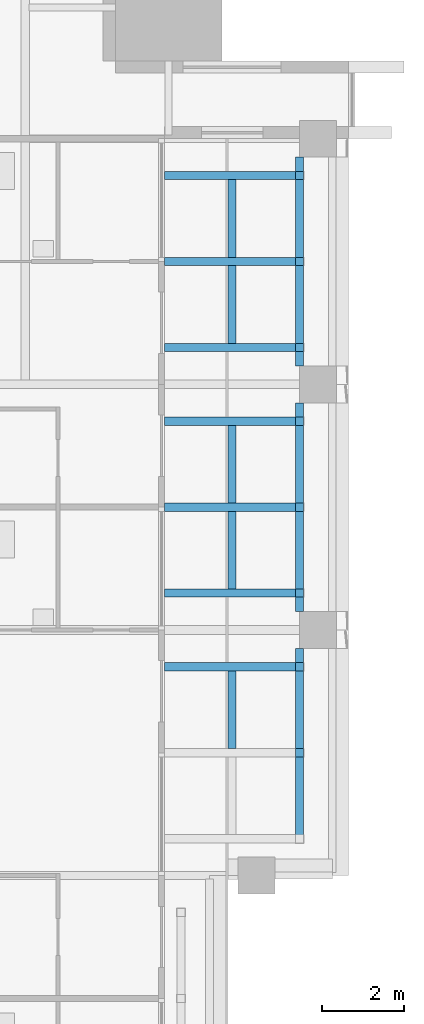
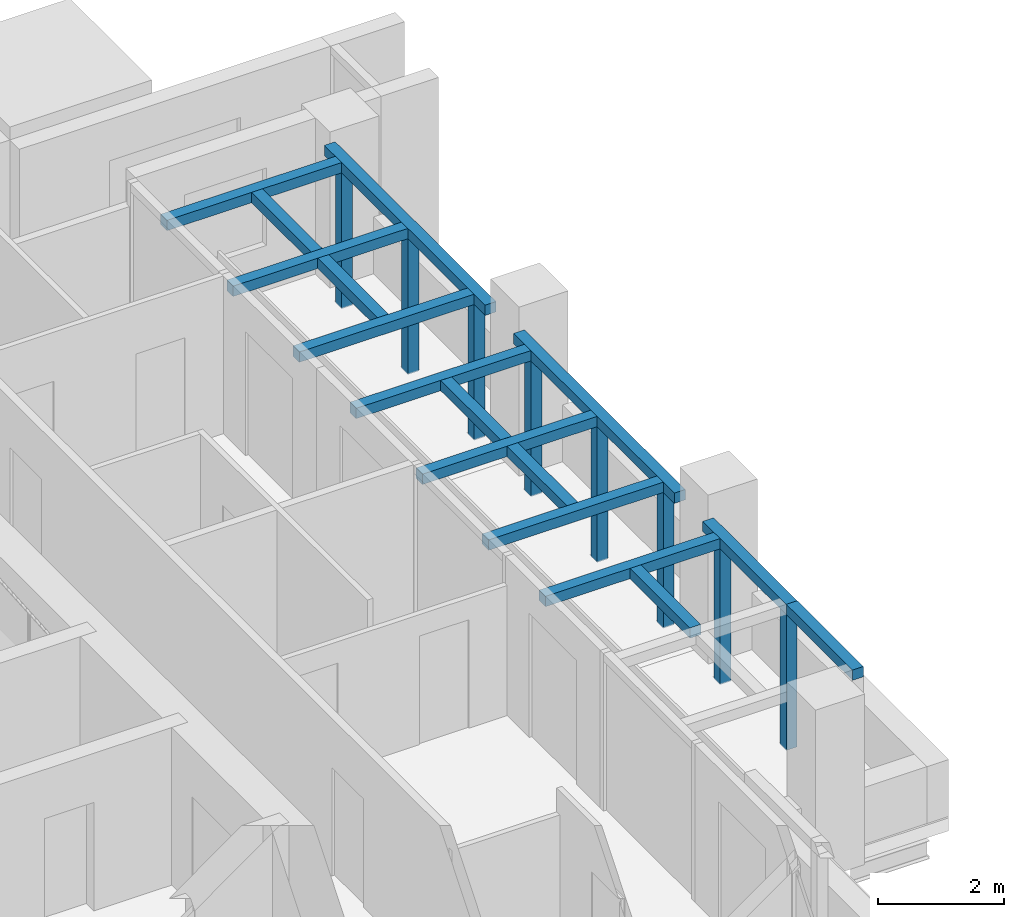
# One storey, part 14 of 17: 24 discrete accessories.
"""IFC4 building model written with IfcOpenShell, lengths in metres."""

from ifc_helpers import new_model, si_unit, direction, frame, origin, origin_2d, place, context, subcontext, project, spatial, rectangle, extrude, element, save


model = new_model("IFC4")

# Units and contexts
model_context = context("Model", 3, precision=1e-05, world=origin(), true_north=direction((0.0, 1.0)))
body_context = subcontext(model_context, "Body", "Model", "MODEL_VIEW")
ifc_project = project(units=[si_unit("LENGTHUNIT", "METRE"), si_unit("AREAUNIT", "SQUARE_METRE"), si_unit("VOLUMEUNIT", "CUBIC_METRE"), si_unit("PLANEANGLEUNIT", "RADIAN"), si_unit("MASSUNIT", "GRAM", prefix="KILO")], contexts=[model_context])

# Site, building, storey
site_placement = place(None, origin())
site = spatial("IfcSite", under=ifc_project, at=site_placement, CompositionType="ELEMENT")
building_placement = place(site_placement, origin())
building = spatial("IfcBuilding", under=site, at=building_placement, Name="Amberfall Residences", CompositionType="ELEMENT")
storey_placement = place(building_placement, frame((0.0, 0.0, 216.699951171875)))
storey = spatial("IfcBuildingStorey", under=building, at=storey_placement, Name="L58", CompositionType="ELEMENT", Elevation=216.699951171875)

# Discrete accessories
for number, where, z_axis, x_axis, name in (
    (1, (96.300048828125, 45.39990234375, 0.0), (0.0, 0.0, 1.0), (1.0, 0.0, 0.0), "Trellis post L58 E3.2"),
    (2, (96.300048828125, 47.5, 0.0), (0.0, 0.0, 1.0), (1.0, 0.0, 0.0), "Trellis post L58 E3.3"),
):
    element("IfcDiscreteAccessory", number, at=place(storey_placement, frame(where, z_axis=z_axis, x_axis=x_axis)), inside=storey, Name=name, ObjectType="TRELLIS POST", PredefinedType="USERDEFINED", context=body_context, shape_type="SweptSolid", body=[
        extrude(rectangle(XDim=0.199951171875, YDim=0.199951171875, at=origin_2d()), origin(), (0.0, 0.0, 1.0), 2.6298828125),
    ])
discrete_accessory_1_placement = place(storey_placement, frame((96.300048828125, 46.625, 2.6298828125), z_axis=(0.0, 0.0, 1.0), x_axis=(0.0, 1.0, 0.0)))
element("IfcDiscreteAccessory", 3, at=discrete_accessory_1_placement, inside=storey, Name="Trellis beam L58 E3.e1", ObjectType="TRELLIS BEAM", PredefinedType="USERDEFINED", context=body_context, shape_type="SweptSolid", body=[
    extrude(rectangle(XDim=2.64990234375, YDim=0.199951171875, at=origin_2d()), origin(), (0.0, 0.0, 1.0), 0.199951171875),
])
discrete_accessory_2_placement = place(storey_placement, frame((96.300048828125, 44.25, 2.6298828125), z_axis=(0.0, 0.0, 1.0), x_axis=(0.0, 1.0, 0.0)))
element("IfcDiscreteAccessory", 4, at=discrete_accessory_2_placement, inside=storey, Name="Trellis beam L58 E3.e1.2", ObjectType="TRELLIS BEAM", PredefinedType="USERDEFINED", context=body_context, shape_type="SweptSolid", body=[
    extrude(rectangle(XDim=2.10009765625, YDim=0.199951171875, at=origin_2d()), origin(), (0.0, 0.0, 1.0), 0.199951171875),
])
discrete_accessory_3_placement = place(storey_placement, frame((94.64990234375, 46.449951171875, 2.6298828125), z_axis=(0.0, 0.0, 1.0), x_axis=(0.0, 1.0, 0.0)))
element("IfcDiscreteAccessory", 5, at=discrete_accessory_3_placement, inside=storey, Name="Trellis beam L58 E3.c1.2", ObjectType="TRELLIS BEAM", PredefinedType="USERDEFINED", context=body_context, shape_type="SweptSolid", body=[
    extrude(rectangle(XDim=1.89990234375, YDim=0.199951171875, at=origin_2d()), origin(), (0.0, 0.0, 1.0), 0.199951171875),
])
discrete_accessory_4_placement = place(storey_placement, frame((94.60009765625, 47.5, 2.6298828125), z_axis=(0.0, 0.0, 1.0), x_axis=(-1.0, 0.0, 0.0)))
element("IfcDiscreteAccessory", 6, at=discrete_accessory_4_placement, inside=storey, Name="Trellis beam L58 E3.b3", ObjectType="TRELLIS BEAM", PredefinedType="USERDEFINED", context=body_context, shape_type="SweptSolid", body=[
    extrude(rectangle(XDim=3.199951171875, YDim=0.199951171875, at=origin_2d()), origin(), (0.0, 0.0, 1.0), 0.199951171875),
])
for number, where, z_axis, x_axis, name in (
    (7, (96.300048828125, 49.300048828125, 0.0), (0.0, 0.0, 1.0), (1.0, 0.0, 0.0), "Trellis post L58 E4.1"),
    (8, (96.300048828125, 51.39990234375, 0.0), (0.0, 0.0, 1.0), (1.0, 0.0, 0.0), "Trellis post L58 E4.2"),
    (9, (96.300048828125, 53.5, 0.0), (0.0, 0.0, 1.0), (1.0, 0.0, 0.0), "Trellis post L58 E4.3"),
):
    element("IfcDiscreteAccessory", number, at=place(storey_placement, frame(where, z_axis=z_axis, x_axis=x_axis)), inside=storey, Name=name, ObjectType="TRELLIS POST", PredefinedType="USERDEFINED", context=body_context, shape_type="SweptSolid", body=[
        extrude(rectangle(XDim=0.199951171875, YDim=0.199951171875, at=origin_2d()), origin(), (0.0, 0.0, 1.0), 2.6298828125),
    ])
discrete_accessory_5_placement = place(storey_placement, frame((96.300048828125, 51.39990234375, 2.6298828125), z_axis=(0.0, 0.0, 1.0), x_axis=(0.0, 1.0, 0.0)))
element("IfcDiscreteAccessory", 10, at=discrete_accessory_5_placement, inside=storey, Name="Trellis beam L58 E4.e1", ObjectType="TRELLIS BEAM", PredefinedType="USERDEFINED", context=body_context, shape_type="SweptSolid", body=[
    extrude(rectangle(XDim=5.10009765625, YDim=0.199951171875, at=origin_2d()), origin(), (0.0, 0.0, 1.0), 0.199951171875),
])
for number, where, z_axis, x_axis, name in (
    (11, (94.64990234375, 50.35009765625, 2.6298828125), (0.0, 0.0, 1.0), (0.0, 1.0, 0.0), "Trellis beam L58 E4.c1.1"),
    (12, (94.64990234375, 52.449951171875, 2.6298828125), (0.0, 0.0, 1.0), (0.0, 1.0, 0.0), "Trellis beam L58 E4.c1.2"),
):
    element("IfcDiscreteAccessory", number, at=place(storey_placement, frame(where, z_axis=z_axis, x_axis=x_axis)), inside=storey, Name=name, ObjectType="TRELLIS BEAM", PredefinedType="USERDEFINED", context=body_context, shape_type="SweptSolid", body=[
        extrude(rectangle(XDim=1.89990234375, YDim=0.199951171875, at=origin_2d()), origin(), (0.0, 0.0, 1.0), 0.199951171875),
    ])
for number, where, z_axis, x_axis, name in (
    (13, (94.60009765625, 49.300048828125, 2.6298828125), (0.0, 0.0, 1.0), (-1.0, 0.0, 0.0), "Trellis beam L58 E4.b1"),
    (14, (94.60009765625, 51.39990234375, 2.6298828125), (0.0, 0.0, 1.0), (-1.0, 0.0, 0.0), "Trellis beam L58 E4.b2"),
    (15, (94.60009765625, 53.5, 2.6298828125), (0.0, 0.0, 1.0), (-1.0, 0.0, 0.0), "Trellis beam L58 E4.b3"),
):
    element("IfcDiscreteAccessory", number, at=place(storey_placement, frame(where, z_axis=z_axis, x_axis=x_axis)), inside=storey, Name=name, ObjectType="TRELLIS BEAM", PredefinedType="USERDEFINED", context=body_context, shape_type="SweptSolid", body=[
        extrude(rectangle(XDim=3.199951171875, YDim=0.199951171875, at=origin_2d()), origin(), (0.0, 0.0, 1.0), 0.199951171875),
    ])
for number, where, z_axis, x_axis, name in (
    (16, (96.300048828125, 55.300048828125, 0.0), (0.0, 0.0, 1.0), (1.0, 0.0, 0.0), "Trellis post L58 E5.1"),
    (17, (96.300048828125, 57.39990234375, 0.0), (0.0, 0.0, 1.0), (1.0, 0.0, 0.0), "Trellis post L58 E5.2"),
    (18, (96.300048828125, 59.5, 0.0), (0.0, 0.0, 1.0), (1.0, 0.0, 0.0), "Trellis post L58 E5.3"),
):
    element("IfcDiscreteAccessory", number, at=place(storey_placement, frame(where, z_axis=z_axis, x_axis=x_axis)), inside=storey, Name=name, ObjectType="TRELLIS POST", PredefinedType="USERDEFINED", context=body_context, shape_type="SweptSolid", body=[
        extrude(rectangle(XDim=0.199951171875, YDim=0.199951171875, at=origin_2d()), origin(), (0.0, 0.0, 1.0), 2.6298828125),
    ])
discrete_accessory_6_placement = place(storey_placement, frame((96.300048828125, 57.39990234375, 2.6298828125), z_axis=(0.0, 0.0, 1.0), x_axis=(0.0, 1.0, 0.0)))
element("IfcDiscreteAccessory", 19, at=discrete_accessory_6_placement, inside=storey, Name="Trellis beam L58 E5.e1", ObjectType="TRELLIS BEAM", PredefinedType="USERDEFINED", context=body_context, shape_type="SweptSolid", body=[
    extrude(rectangle(XDim=5.10009765625, YDim=0.199951171875, at=origin_2d()), origin(), (0.0, 0.0, 1.0), 0.199951171875),
])
for number, where, z_axis, x_axis, name in (
    (20, (94.64990234375, 56.35009765625, 2.6298828125), (0.0, 0.0, 1.0), (0.0, 1.0, 0.0), "Trellis beam L58 E5.c1.1"),
    (21, (94.64990234375, 58.449951171875, 2.6298828125), (0.0, 0.0, 1.0), (0.0, 1.0, 0.0), "Trellis beam L58 E5.c1.2"),
):
    element("IfcDiscreteAccessory", number, at=place(storey_placement, frame(where, z_axis=z_axis, x_axis=x_axis)), inside=storey, Name=name, ObjectType="TRELLIS BEAM", PredefinedType="USERDEFINED", context=body_context, shape_type="SweptSolid", body=[
        extrude(rectangle(XDim=1.89990234375, YDim=0.199951171875, at=origin_2d()), origin(), (0.0, 0.0, 1.0), 0.199951171875),
    ])
for number, where, z_axis, x_axis, name in (
    (22, (94.60009765625, 55.300048828125, 2.6298828125), (0.0, 0.0, 1.0), (-1.0, 0.0, 0.0), "Trellis beam L58 E5.b1"),
    (23, (94.60009765625, 57.39990234375, 2.6298828125), (0.0, 0.0, 1.0), (-1.0, 0.0, 0.0), "Trellis beam L58 E5.b2"),
    (24, (94.60009765625, 59.5, 2.6298828125), (0.0, 0.0, 1.0), (-1.0, 0.0, 0.0), "Trellis beam L58 E5.b3"),
):
    element("IfcDiscreteAccessory", number, at=place(storey_placement, frame(where, z_axis=z_axis, x_axis=x_axis)), inside=storey, Name=name, ObjectType="TRELLIS BEAM", PredefinedType="USERDEFINED", context=body_context, shape_type="SweptSolid", body=[
        extrude(rectangle(XDim=3.199951171875, YDim=0.199951171875, at=origin_2d()), origin(), (0.0, 0.0, 1.0), 0.199951171875),
    ])

save(model, "model.ifc")
